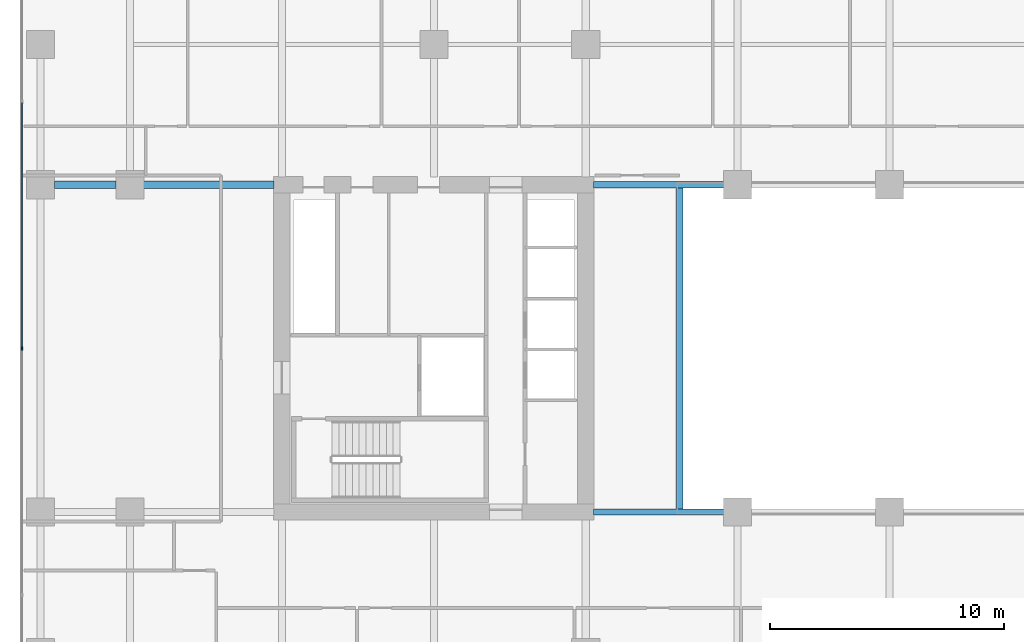
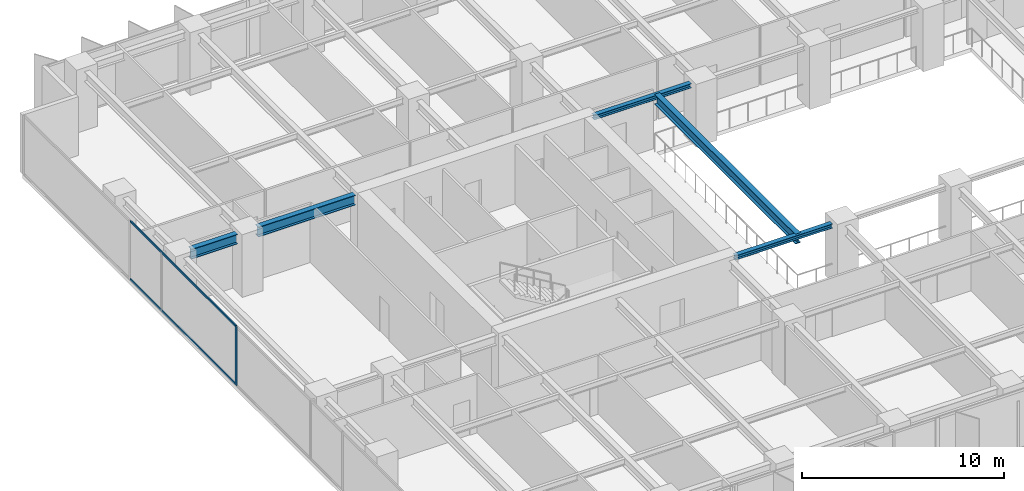
# One storey, part 4 of 20: 5 beams, 3 members, 1 element without a shape of its own.
"""IFC4 building model written with IfcOpenShell, lengths in metres."""

import ifcopenshell
import ifcopenshell.guid

model = None  # the IFC model being written
_history = None  # IfcOwnerHistory: only IFC2X3 demands one
_inside = {}  # id of a spatial element -> (the spatial element, [elements in it])
_under = {}  # id of a project, library or spatial element -> (it, [spatial elements below it])
_declared = {}  # id of a project -> (the project, [libraries it declares])
_typed = {}  # id of a type object -> (the type object, [elements of that type])
_made_of = {}  # id of a material, layer set ... -> (it, [elements and type objects made of it])


def new_model(schema):
    """Start an empty IFC model of exactly this schema.

    Asked for "IFC4X3", IfcOpenShell would pick the latest addendum, in which some entities
    have other attributes; the version numbers below select the first issue.
    IFC2X3 requires an IfcOwnerHistory on every rooted entity: one is made here for all.
    """
    global model, _history
    if schema == "IFC4X3":
        model = ifcopenshell.file(schema_version=(4, 3, 0, 0))
    else:
        model = ifcopenshell.file(schema=schema)
    _inside.clear()
    _under.clear()
    _declared.clear()
    _typed.clear()
    _made_of.clear()
    _history = None
    if model.schema == "IFC2X3":
        org = make("IfcOrganization", Name="unknown")
        user = make(
            "IfcPersonAndOrganization",
            ThePerson=make("IfcPerson", FamilyName="unknown"),
            TheOrganization=org,
        )
        app = make(
            "IfcApplication",
            ApplicationDeveloper=org,
            Version="unknown",
            ApplicationFullName="unknown",
            ApplicationIdentifier="unknown",
        )
        _history = make(
            "IfcOwnerHistory",
            OwningUser=user,
            OwningApplication=app,
            ChangeAction="ADDED",
            CreationDate=0,
        )
    return model


def make(cls, **values):
    """One entity of the class cls with the attributes given. An attribute that is None is left unset."""
    return model.create_entity(
        cls, **{name: value for name, value in values.items() if value is not None}
    )


def rooted(cls, **values):
    """An entity with a GlobalId (a new one), such as an element, a storey or a relation."""
    return make(cls, GlobalId=ifcopenshell.guid.new(), OwnerHistory=_history, **values)


def si_unit(unit_type, name, prefix=None):
    """IfcSIUnit, for example si_unit("LENGTHUNIT", "METRE", prefix="MILLI")."""
    return make("IfcSIUnit", UnitType=unit_type, Prefix=prefix, Name=name)


def assignment(units):
    """IfcUnitAssignment: the units of a project."""
    return None if units is None else make("IfcUnitAssignment", Units=units)


def point(xyz):
    """IfcCartesianPoint."""
    return None if xyz is None else make("IfcCartesianPoint", Coordinates=xyz)


def direction(xyz):
    """IfcDirection."""
    return None if xyz is None else make("IfcDirection", DirectionRatios=xyz)


def frame(location, z_axis=None, x_axis=None):
    """IfcAxis2Placement3D, a coordinate frame: its origin and axes. An axis left out is left unset."""
    return make(
        "IfcAxis2Placement3D",
        Location=point(location),
        Axis=direction(z_axis),
        RefDirection=direction(x_axis),
    )


def frame_2d(location, x_axis=None):
    """IfcAxis2Placement2D, a coordinate frame in the plane: its origin and x axis."""
    return make(
        "IfcAxis2Placement2D", Location=point(location), RefDirection=direction(x_axis)
    )


def origin():
    """The frame at (0, 0, 0) with its axes left unset."""
    return frame((0.0, 0.0, 0.0))


def origin_2d():
    """The frame at (0, 0) in the plane with its x axis left unset."""
    return frame_2d((0.0, 0.0))


def place(relative_to, where):
    """IfcLocalPlacement: puts the frame where relative to a parent placement (None: the world)."""
    return make(
        "IfcLocalPlacement", PlacementRelTo=relative_to, RelativePlacement=where
    )


def context(
    kind, dimensions, precision=None, world=None, true_north=None, identifier=None
):
    """IfcGeometricRepresentationContext, for example the 3D "Model" context."""
    return make(
        "IfcGeometricRepresentationContext",
        ContextIdentifier=identifier,
        ContextType=kind,
        CoordinateSpaceDimension=dimensions,
        Precision=precision,
        WorldCoordinateSystem=world,
        TrueNorth=true_north,
    )


def subcontext(parent, identifier, kind, view, scale=None):
    """IfcGeometricRepresentationSubContext, for example "Body" below "Model"."""
    return make(
        "IfcGeometricRepresentationSubContext",
        ContextIdentifier=identifier,
        ContextType=kind,
        ParentContext=parent,
        TargetScale=scale,
        TargetView=view,
    )


def project(units=None, contexts=None):
    """IfcProject with its units and contexts."""
    return rooted(
        "IfcProject",
        Name="project",
        RepresentationContexts=contexts,
        UnitsInContext=assignment(units),
    )


def spatial(cls, under=None, at=None, **own):
    """A site, building, storey or space (cls), placed at a placement, below another one or the project."""
    s = rooted(cls, ObjectPlacement=at, **own)
    if under is not None:
        _under.setdefault(under.id(), (under, []))[1].append(s)
    return s


def profile(cls, at=None, kind="AREA", **sizes):
    """A parametric profile (cls). Its sizes go by their IFC names, for example OverallWidth=200.0."""
    return make(cls, ProfileType=kind, Position=at, **sizes)


def rectangle(**sizes):
    """IfcRectangleProfileDef."""
    return profile("IfcRectangleProfileDef", **sizes)


def i_section(**sizes):
    """IfcIShapeProfileDef."""
    return profile("IfcIShapeProfileDef", **sizes)


def extrude(swept, where, along, depth):
    """IfcExtrudedAreaSolid: the profile swept, set in the frame where, extruded along a direction by depth."""
    return make(
        "IfcExtrudedAreaSolid",
        SweptArea=swept,
        Position=where,
        ExtrudedDirection=direction(along),
        Depth=depth,
    )


def shape(context_of_items, identifier, shape_type, items):
    """IfcShapeRepresentation: the items that make up one representation, for example the "Body"."""
    return make(
        "IfcShapeRepresentation",
        ContextOfItems=context_of_items,
        RepresentationIdentifier=identifier,
        RepresentationType=shape_type,
        Items=items,
    )


def material(Name=None, Category=None):
    """IfcMaterial."""
    return make("IfcMaterial", Name=Name, Category=Category)


def layer(
    of_material, thickness, ventilated=None, Name=None, Category=None, Priority=None
):
    """IfcMaterialLayer: one layer of a wall or slab, of a material (None: an air gap)."""
    return make(
        "IfcMaterialLayer",
        Material=of_material,
        LayerThickness=thickness,
        IsVentilated=ventilated,
        Name=Name,
        Category=Category,
        Priority=Priority,
    )


def layer_set(layers, Name=None):
    """IfcMaterialLayerSet."""
    return make("IfcMaterialLayerSet", MaterialLayers=layers, LayerSetName=Name)


def material_profile(
    of_material, cross_section, Name=None, Category=None, Priority=None
):
    """IfcMaterialProfile: a cross section and its material."""
    return make(
        "IfcMaterialProfile",
        Name=Name,
        Material=of_material,
        Profile=cross_section,
        Priority=Priority,
        Category=Category,
    )


def profile_set(profiles, Name=None, composite=None):
    """IfcMaterialProfileSet."""
    return make(
        "IfcMaterialProfileSet",
        Name=Name,
        MaterialProfiles=profiles,
        CompositeProfile=composite,
    )


def made_of(thing, what):
    """Note that an element or type object is made of a material, layer set ...; save() writes the relation."""
    if what is not None:
        _made_of.setdefault(what.id(), (what, []))[1].append(thing)
    return thing


def type_object(cls, material=None, **own):
    """A type object (cls), such as IfcWallType, which elements share."""
    return made_of(rooted(cls, **own), material)


def element(
    cls,
    number,
    at=None,
    inside=None,
    cuts=None,
    type_object=None,
    material=None,
    context=None,
    identifier="Body",
    shape_type=None,
    held_by="IfcProductDefinitionShape",
    body=None,
    shapes=None,
    **own,
):
    """One element of the class cls, such as IfcWall. Its Tag is "e" and its number.

    at: its placement. inside: the storey or other place that contains it. cuts: it is an
    opening in that element (IfcRelVoidsElement). A single representation is given by context,
    identifier, shape_type and body (its items); several are given by shapes. held_by: the class
    of the entity that holds the representations. save() writes the other relations.
    """
    e = rooted(cls, Tag="e%d" % number, ObjectPlacement=at, **own)
    if body is not None:
        shapes = [shape(context, identifier, shape_type, body)]
    if shapes is not None:
        e.Representation = make(held_by, Representations=shapes)
    if inside is not None:
        _inside.setdefault(inside.id(), (inside, []))[1].append(e)
    if cuts is not None:
        rooted(
            "IfcRelVoidsElement", RelatingBuildingElement=cuts, RelatedOpeningElement=e
        )
    if type_object is not None:
        _typed.setdefault(type_object.id(), (type_object, []))[1].append(e)
    return made_of(e, material)


def aggregate(whole, parts):
    """IfcRelAggregates: a whole, such as a stair, and the parts it consists of."""
    return rooted("IfcRelAggregates", RelatingObject=whole, RelatedObjects=parts)


def save(model, path):
    """Write the relations noted so far, then the file.

    IfcRelAggregates (storeys below a building ...), IfcRelContainedInSpatialStructure (elements
    in a storey), IfcRelDefinesByType, IfcRelAssociatesMaterial and IfcRelDeclares: one each for
    every whole, place, type object, material and project.
    """
    for whole, parts in _under.values():
        aggregate(whole, parts)
    for where, things in _inside.values():
        rooted(
            "IfcRelContainedInSpatialStructure",
            RelatedElements=things,
            RelatingStructure=where,
        )
    for kind, things in _typed.values():
        rooted("IfcRelDefinesByType", RelatedObjects=things, RelatingType=kind)
    for what, things in _made_of.values():
        rooted("IfcRelAssociatesMaterial", RelatedObjects=things, RelatingMaterial=what)
    for by, libraries in _declared.values():
        rooted("IfcRelDeclares", RelatingContext=by, RelatedDefinitions=libraries)
    model.write(path)


model = new_model("IFC4")

# Units and contexts
model_context = context("Model", 3, precision=1e-05, world=origin(), true_north=direction((0.0, 1.0)))
body_context = subcontext(model_context, "Body", "Model", "MODEL_VIEW")
ifc_project = project(units=[si_unit("LENGTHUNIT", "METRE"), si_unit("AREAUNIT", "SQUARE_METRE"), si_unit("VOLUMEUNIT", "CUBIC_METRE"), si_unit("PLANEANGLEUNIT", "RADIAN"), si_unit("MASSUNIT", "GRAM", prefix="KILO")], contexts=[model_context])

# Site, building, storey
site_placement = place(None, origin())
site = spatial("IfcSite", under=ifc_project, at=site_placement, CompositionType="ELEMENT")
building_placement = place(site_placement, origin())
building = spatial("IfcBuilding", under=site, at=building_placement, Name="Putna Gate Headquarters", CompositionType="ELEMENT")
storey_placement = place(building_placement, frame((0.0, 0.0, 131.60009765625)))
storey = spatial("IfcBuildingStorey", under=building, at=storey_placement, Name="L32", CompositionType="ELEMENT", Elevation=131.60009765625)

# Beams
ifc_material_1 = material(Name="Steel S355J2", Category="steel")
ifc_material_profile_1 = material_profile(ifc_material_1, i_section(OverallWidth=0.260009765625, OverallDepth=0.260009765625, WebThickness=0.010009765625, FlangeThickness=0.017578125, at=origin_2d()), Name="Steel S355J2")
ifc_profile_set_1 = profile_set([ifc_material_profile_1], Name="Steel S355J2")
beam_type_1 = type_object("IfcBeamType", Name="BM-ATRIUM-HEB260", PredefinedType="BEAM", material=ifc_profile_set_1)
for number, where, z_axis, x_axis, name in (
    (1, (26.3349609375, 19.0, 3.434814453125), (1.0, 0.0, 0.0), (0.0, 1.0, 0.0), "L32 Atrium Edge Beam AS1"),
    (2, (26.3349609375, 33.0, 3.434814453125), (1.0, 0.0, 0.0), (0.0, 1.0, 0.0), "L32 Atrium Edge Beam AN1"),
):
    element("IfcBeam", number, at=place(storey_placement, frame(where, z_axis=z_axis, x_axis=x_axis)), inside=storey, type_object=beam_type_1, Name=name, PredefinedType="BEAM", context=body_context, shape_type="SweptSolid", body=[
        extrude(i_section(OverallWidth=0.260009765625, OverallDepth=0.260009765625, WebThickness=0.010009765625, FlangeThickness=0.017578125, at=origin_2d()), origin(), (0.0, 0.0, 1.0), 5.5771484375),
    ])
ifc_material_profile_2 = material_profile(ifc_material_1, i_section(OverallWidth=0.300048828125, OverallDepth=0.60009765625, WebThickness=0.015380859375, FlangeThickness=0.030029296875, at=origin_2d()), Name="Steel S355J2")
ifc_profile_set_2 = profile_set([ifc_material_profile_2], Name="Steel S355J2")
beam_type_2 = type_object("IfcBeamType", Name="BM-GIRD-Z2-HEB600", PredefinedType="USERDEFINED", material=ifc_profile_set_2)
beam_1_placement = place(storey_placement, frame((3.26806640625, 33.0, 3.264892578125), z_axis=(1.0, 0.0, 0.0), x_axis=(0.0, 1.0, 0.0)))
element("IfcBeam", 3, at=beam_1_placement, inside=storey, type_object=beam_type_2, Name="L32 West Wing Girder Y33-1", ObjectType="GIRDER", PredefinedType="USERDEFINED", context=body_context, shape_type="SweptSolid", body=[
    extrude(i_section(OverallWidth=0.300048828125, OverallDepth=0.60009765625, WebThickness=0.015380859375, FlangeThickness=0.030029296875, at=origin_2d()), origin(), (0.0, 0.0, 1.0), 2.64404296875),
])
beam_2_placement = place(storey_placement, frame((7.087890625, 33.0, 3.264892578125), z_axis=(1.0, 0.0, 0.0), x_axis=(0.0, 1.0, 0.0)))
element("IfcBeam", 4, at=beam_2_placement, inside=storey, type_object=beam_type_2, Name="L32 West Wing Girder Y33-2", ObjectType="GIRDER", PredefinedType="USERDEFINED", context=body_context, shape_type="SweptSolid", body=[
    extrude(i_section(OverallWidth=0.300048828125, OverallDepth=0.60009765625, WebThickness=0.015380859375, FlangeThickness=0.030029296875, at=origin_2d()), origin(), (0.0, 0.0, 1.0), 5.5771484375),
])
beam_3_placement = place(storey_placement, frame((30.0, 19.010009765625, 3.264892578125), z_axis=(0.0, 1.0, 0.0), x_axis=(-1.0, 0.0, 0.0)))
element("IfcBeam", 5, at=beam_3_placement, inside=storey, type_object=beam_type_2, Name="L32 Atrium Trim Girder AW", ObjectType="GIRDER", PredefinedType="USERDEFINED", context=body_context, shape_type="SweptSolid", body=[
    extrude(i_section(OverallWidth=0.300048828125, OverallDepth=0.60009765625, WebThickness=0.015380859375, FlangeThickness=0.030029296875, at=origin_2d()), origin(), (0.0, 0.0, 1.0), 13.97998046875),
])

# Curtain wall, members
ifc_material_2 = material(Name="Anodised bronze aluminium curtain wall", Category="aluminium")
ifc_layer = layer(ifc_material_2, 0.159912109375)
ifc_layer_set = layer_set([ifc_layer], Name="Anodised bronze aluminium curtain wall")
curtain_wall_type = type_object("IfcCurtainWallType", Name="CW-SYS-Z2", PredefinedType="USERDEFINED", material=ifc_layer_set)
curtain_wall_placement = place(storey_placement, origin())
curtain_wall = element("IfcCurtainWall", 6, at=curtain_wall_placement, inside=storey, type_object=curtain_wall_type, Name="L32 West Curtain Wall", ObjectType="STICK CURTAIN WALL", PredefinedType="USERDEFINED")
ifc_material_3 = material(Name="Anodised bronze aluminium EN AW-6060", Category="aluminium")
ifc_material_profile_3 = material_profile(ifc_material_3, rectangle(XDim=0.06494140625, YDim=0.159912109375, at=origin_2d()), Name="Anodised bronze aluminium EN AW-6060")
ifc_profile_set_3 = profile_set([ifc_material_profile_3], Name="Anodised bronze aluminium EN AW-6060")
member_type_1 = type_object("IfcMemberType", Name="MULL-CWM-2", PredefinedType="MULLION", material=ifc_profile_set_3)
member_1_placement = place(storey_placement, frame((1.8798828125, 26.0, 0.0), z_axis=(0.0, 0.0, 1.0), x_axis=(-1.0, 0.0, 0.0)))
member_1 = element("IfcMember", 7, at=member_1_placement, type_object=member_type_1, Name="CWS-2 mullion 3", PredefinedType="MULLION", context=body_context, shape_type="SweptSolid", body=[
    extrude(rectangle(XDim=0.06494140625, YDim=0.159912109375, at=origin_2d()), origin(), (0.0, 0.0, 1.0), 3.56494140625),
])
ifc_material_profile_4 = material_profile(ifc_material_3, rectangle(XDim=0.06494140625, YDim=0.1201171875, at=origin_2d()), Name="Anodised bronze aluminium EN AW-6060")
ifc_profile_set_4 = profile_set([ifc_material_profile_4], Name="Anodised bronze aluminium EN AW-6060")
member_type_2 = type_object("IfcMemberType", Name="TRAN-CWT-2", PredefinedType="USERDEFINED", material=ifc_profile_set_4)
member_2_placement = place(storey_placement, frame((1.8798828125, 26.032470703125, 0.032470703125), z_axis=(0.0, 1.0, 0.0), x_axis=(-1.0, 0.0, 0.0)))
member_2 = element("IfcMember", 8, at=member_2_placement, type_object=member_type_2, Name="CWS-2 transom 3.1", ObjectType="TRANSOM", PredefinedType="USERDEFINED", context=body_context, shape_type="SweptSolid", body=[
    extrude(rectangle(XDim=0.06494140625, YDim=0.1201171875, at=origin_2d()), origin(), (0.0, 0.0, 1.0), 10.485107421875),
])
member_3_placement = place(storey_placement, frame((1.8798828125, 26.032470703125, 3.532470703125), z_axis=(0.0, 1.0, 0.0), x_axis=(-1.0, 0.0, 0.0)))
member_3 = element("IfcMember", 9, at=member_3_placement, type_object=member_type_2, Name="CWS-2 transom 3.2", ObjectType="TRANSOM", PredefinedType="USERDEFINED", context=body_context, shape_type="SweptSolid", body=[
    extrude(rectangle(XDim=0.06494140625, YDim=0.1201171875, at=origin_2d()), origin(), (0.0, 0.0, 1.0), 10.485107421875),
])
aggregate(curtain_wall, [member_1, member_2, member_3])

save(model, "model.ifc")
